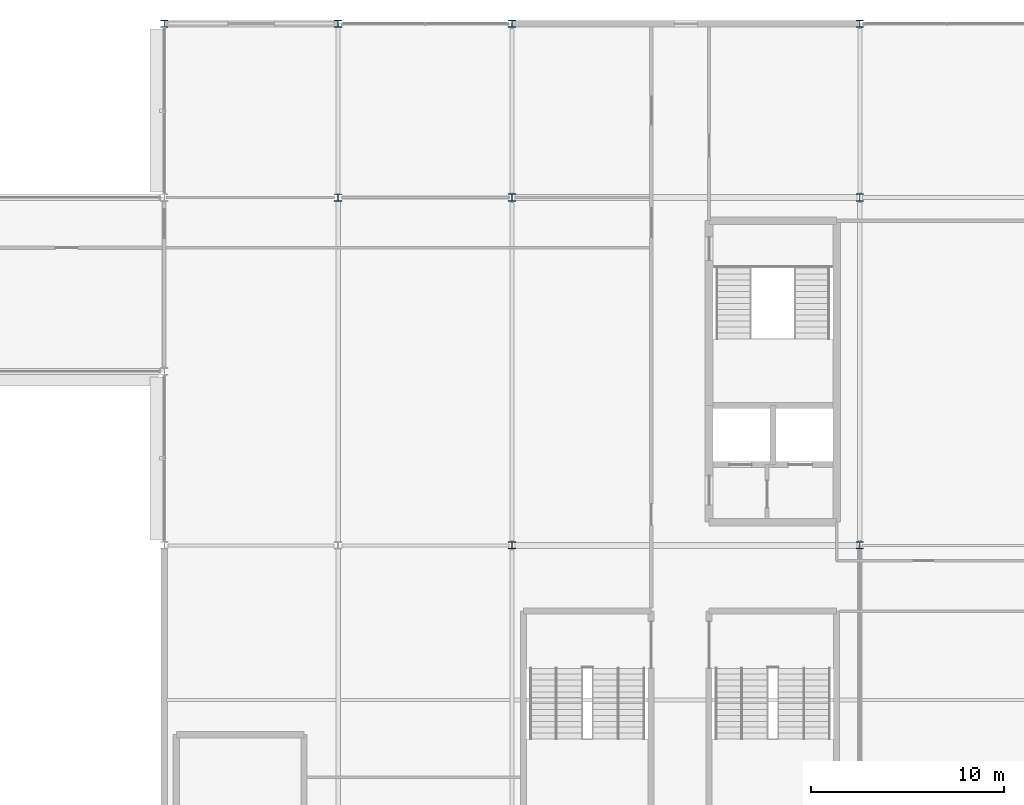
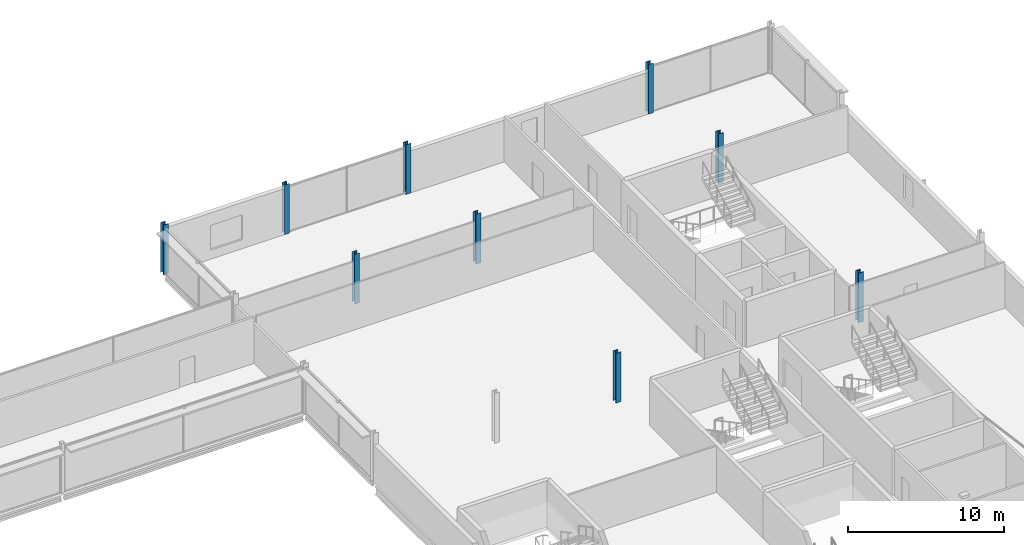
# One storey, part 15 of 98: 9 columns.
"""IFC4 building model written with IfcOpenShell, lengths in metres."""

from ifc_helpers import new_model, si_unit, direction, frame, origin, origin_2d, place, context, subcontext, project, spatial, i_section, extrude, material, material_profile, profile_set, type_object, element, save


model = new_model("IFC4")

# Units and contexts
model_context = context("Model", 3, precision=1e-05, world=origin(), true_north=direction((0.0, 1.0)))
body_context = subcontext(model_context, "Body", "Model", "MODEL_VIEW")
ifc_project = project(units=[si_unit("LENGTHUNIT", "METRE"), si_unit("AREAUNIT", "SQUARE_METRE"), si_unit("VOLUMEUNIT", "CUBIC_METRE"), si_unit("PLANEANGLEUNIT", "RADIAN"), si_unit("MASSUNIT", "GRAM", prefix="KILO")], contexts=[model_context])

# Site, building, storey
site_placement = place(None, origin())
site = spatial("IfcSite", under=ifc_project, at=site_placement, CompositionType="ELEMENT")
building_placement = place(site_placement, origin())
building = spatial("IfcBuilding", under=site, at=building_placement, Name="Kisiwana Market Hall", CompositionType="ELEMENT")
storey_placement = place(building_placement, frame((0.0, 0.0, 29.39990234375)))
storey = spatial("IfcBuildingStorey", under=building, at=storey_placement, Name="L06", CompositionType="ELEMENT", Elevation=29.39990234375)

# Columns
ifc_material_1 = material(Name="Steel S355", Category="steel")
ifc_material_profile_1 = material_profile(ifc_material_1, i_section(OverallWidth=0.37060546875, OverallDepth=0.362060546875, WebThickness=0.01220703125, FlangeThickness=0.020751953125, at=origin_2d()), Name="UC 356x368x153")
ifc_profile_set_1 = profile_set([ifc_material_profile_1], Name="Steel S355")
column_type_1 = type_object("IfcColumnType", Name="COL-STL-UC153", PredefinedType="COLUMN", material=ifc_profile_set_1)
for number, where, z_axis, x_axis, name in (
    (1, (153.0, 111.0, 0.0), (0.0, 0.0, 1.0), (1.0, 0.0, 0.0), "Column P/18 (L06) C-1039"),
    (2, (162.0, 102.0, 0.0), (0.0, 0.0, 1.0), (1.0, 0.0, 0.0), "Column N/19 (L06) C-1044"),
    (3, (162.0, 111.0, 0.0), (0.0, 0.0, 1.0), (1.0, 0.0, 0.0), "Column P/19 (L06) C-1045"),
):
    element("IfcColumn", number, at=place(storey_placement, frame(where, z_axis=z_axis, x_axis=x_axis)), inside=storey, type_object=column_type_1, Name=name, PredefinedType="COLUMN", context=body_context, shape_type="SweptSolid", body=[
        extrude(i_section(OverallWidth=0.37060546875, OverallDepth=0.362060546875, WebThickness=0.01220703125, FlangeThickness=0.020751953125, at=origin_2d()), origin(), (0.0, 0.0, 1.0), 3.900146484375),
    ])
ifc_material_2 = material(Name="Steel S355", Category="steel")
ifc_material_profile_2 = material_profile(ifc_material_2, i_section(OverallWidth=0.374755859375, OverallDepth=0.37451171875, WebThickness=0.0166015625, FlangeThickness=0.027099609375, at=origin_2d()), Name="UC 356x368x202")
ifc_profile_set_2 = profile_set([ifc_material_profile_2], Name="Steel S355")
column_type_2 = type_object("IfcColumnType", Name="COL-STL-UC202", PredefinedType="COLUMN", material=ifc_profile_set_2)
for number, where, z_axis, x_axis, name in (
    (4, (171.0, 84.0, 0.0), (0.0, 0.0, 1.0), (1.0, 0.0, 0.0), "Column L/20 (L06) C-1050"),
    (5, (171.0, 102.0, 0.0), (0.0, 0.0, 1.0), (1.0, 0.0, 0.0), "Column N/20 (L06) C-1051"),
    (6, (171.0, 111.0, 0.0), (0.0, 0.0, 1.0), (1.0, 0.0, 0.0), "Column P/20 (L06) C-1052"),
    (7, (189.0, 84.0, 0.0), (0.0, 0.0, 1.0), (1.0, 0.0, 0.0), "Column L/22 (L06) C-1056"),
    (8, (189.0, 102.0, 0.0), (0.0, 0.0, 1.0), (1.0, 0.0, 0.0), "Column N/22 (L06) C-1057"),
    (9, (189.0, 111.0, 0.0), (0.0, 0.0, 1.0), (1.0, 0.0, 0.0), "Column P/22 (L06) C-1058"),
):
    element("IfcColumn", number, at=place(storey_placement, frame(where, z_axis=z_axis, x_axis=x_axis)), inside=storey, type_object=column_type_2, Name=name, PredefinedType="COLUMN", context=body_context, shape_type="SweptSolid", body=[
        extrude(i_section(OverallWidth=0.374755859375, OverallDepth=0.37451171875, WebThickness=0.0166015625, FlangeThickness=0.027099609375, at=origin_2d()), origin(), (0.0, 0.0, 1.0), 3.900146484375),
    ])

save(model, "model.ifc")
